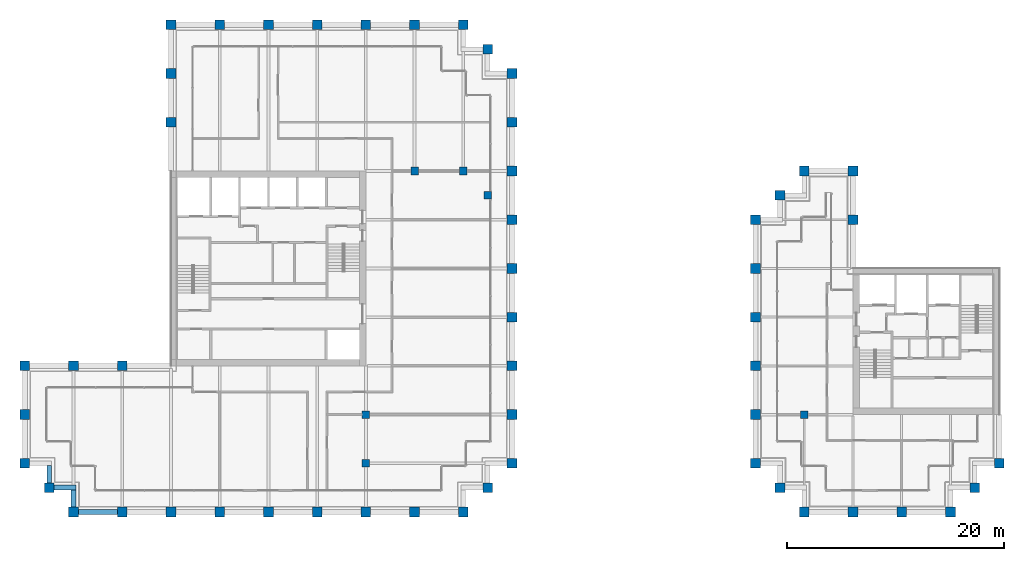
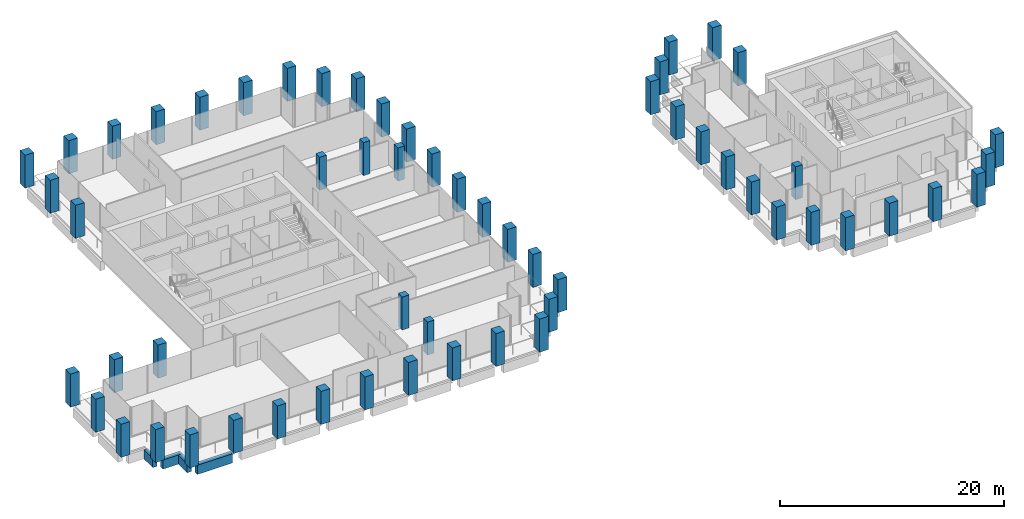
# One storey, part 1 of 40: 58 columns, 4 beams.
"""IFC4 building model written with IfcOpenShell, lengths in metres."""

from ifc_helpers import new_model, si_unit, direction, frame, origin, origin_2d, place, context, subcontext, project, spatial, rectangle, extrude, material, material_profile, profile_set, type_object, element, save


model = new_model("IFC4")

# Units and contexts
model_context = context("Model", 3, precision=1e-05, world=origin(), true_north=direction((0.0, 1.0)))
body_context = subcontext(model_context, "Body", "Model", "MODEL_VIEW")
ifc_project = project(units=[si_unit("LENGTHUNIT", "METRE"), si_unit("AREAUNIT", "SQUARE_METRE"), si_unit("VOLUMEUNIT", "CUBIC_METRE"), si_unit("PLANEANGLEUNIT", "RADIAN"), si_unit("MASSUNIT", "GRAM", prefix="KILO")], contexts=[model_context])

# Site, building, storey
site_placement = place(None, origin())
site = spatial("IfcSite", under=ifc_project, at=site_placement, CompositionType="ELEMENT")
building_placement = place(site_placement, origin())
building = spatial("IfcBuilding", under=site, at=building_placement, Name="Altepetl Exchange Towers", CompositionType="ELEMENT")
storey_placement = place(building_placement, frame((0.0, 0.0, 179.800048828125)))
storey = spatial("IfcBuildingStorey", under=building, at=storey_placement, Name="L45", CompositionType="ELEMENT", Elevation=179.800048828125)

# Columns
ifc_material_1 = material(Name="Concrete C70/85", Category="concrete")
ifc_material_profile_1 = material_profile(ifc_material_1, rectangle(XDim=0.699951171875, YDim=0.699951171875, at=origin_2d()), Name="700 x 700")
ifc_profile_set_1 = profile_set([ifc_material_profile_1], Name="Concrete C70/85")
column_type_1 = type_object("IfcColumnType", Name="Interior column 700", PredefinedType="COLUMN", material=ifc_profile_set_1)
for number, where, name in (
    (1, (58.5, 31.5, 0.0), "col:A:L45:035"),
    (2, (58.5, 36.0, 0.0), "col:A:L45:036"),
    (3, (63.0, 58.5, 0.0), "col:A:L45:037"),
    (4, (67.5, 58.5, 0.0), "col:A:L45:038"),
    (5, (69.75, 56.25, 0.0), "col:A:L45:039"),
    (6, (99.0, 36.0, 0.0), "col:B:L45:017"),
):
    element("IfcColumn", number, at=place(storey_placement, frame(where)), inside=storey, type_object=column_type_1, Name=name, PredefinedType="COLUMN", context=body_context, shape_type="SweptSolid", body=[
        extrude(rectangle(XDim=0.699951171875, YDim=0.699951171875, at=origin_2d()), origin(), (0.0, 0.0, 1.0), 3.599853515625),
    ])
ifc_material_2 = material(Name="Concrete C70/85 precast with cantera amarilla facing", Category="concrete")
ifc_material_profile_2 = material_profile(ifc_material_2, rectangle(XDim=0.89990234375, YDim=0.89990234375, at=origin_2d()), Name="900 x 900")
ifc_profile_set_2 = profile_set([ifc_material_profile_2], Name="Concrete C70/85 precast with cantera amarilla facing")
column_type_2 = type_object("IfcColumnType", Name="Perimeter column 900 cantera amarilla", PredefinedType="COLUMN", material=ifc_profile_set_2)
for number, where, name in (
    (7, (58.5, 27.0, 0.0), "col:A:L45:006"),
    (8, (63.0, 27.0, 0.0), "col:A:L45:007"),
    (9, (67.5, 27.0, 0.0), "col:A:L45:008"),
    (10, (69.75, 29.25, 0.0), "col:A:L45:009"),
    (11, (72.0, 31.5, 0.0), "col:A:L45:010"),
    (12, (72.0, 36.0, 0.0), "col:A:L45:011"),
    (13, (72.0, 40.5, 0.0), "col:A:L45:012"),
    (14, (72.0, 45.0, 0.0), "col:A:L45:013"),
    (15, (72.0, 49.5, 0.0), "col:A:L45:014"),
    (16, (72.0, 54.0, 0.0), "col:A:L45:015"),
):
    element("IfcColumn", number, at=place(storey_placement, frame(where)), inside=storey, type_object=column_type_2, Name=name, PredefinedType="COLUMN", context=body_context, shape_type="SweptSolid", body=[
        extrude(rectangle(XDim=0.89990234375, YDim=0.89990234375, at=origin_2d()), origin(), (0.0, 0.0, 1.0), 3.599853515625),
    ])
ifc_material_3 = material(Name="Concrete C70/85 precast with cantera blanca facing", Category="concrete")
ifc_material_profile_3 = material_profile(ifc_material_3, rectangle(XDim=0.89990234375, YDim=0.89990234375, at=origin_2d()), Name="900 x 900")
ifc_profile_set_3 = profile_set([ifc_material_profile_3], Name="Concrete C70/85 precast with cantera blanca facing")
column_type_3 = type_object("IfcColumnType", Name="Perimeter column 900 cantera blanca", PredefinedType="COLUMN", material=ifc_profile_set_3)
for number, where, name in (
    (17, (31.5, 27.0, 0.0), "col:A:L45:000"),
    (18, (36.0, 27.0, 0.0), "col:A:L45:001"),
    (19, (40.5, 27.0, 0.0), "col:A:L45:002"),
    (20, (45.0, 27.0, 0.0), "col:A:L45:003"),
    (21, (49.5, 27.0, 0.0), "col:A:L45:004"),
    (22, (54.0, 27.0, 0.0), "col:A:L45:005"),
    (23, (27.0, 36.0, 0.0), "col:A:L45:032"),
    (24, (27.0, 31.5, 0.0), "col:A:L45:033"),
    (25, (29.25, 29.25, 0.0), "col:A:L45:034"),
    (26, (117.0, 31.5, 0.0), "col:B:L45:005"),
):
    element("IfcColumn", number, at=place(storey_placement, frame(where)), inside=storey, type_object=column_type_3, Name=name, PredefinedType="COLUMN", context=body_context, shape_type="SweptSolid", body=[
        extrude(rectangle(XDim=0.89990234375, YDim=0.89990234375, at=origin_2d()), origin(), (0.0, 0.0, 1.0), 3.599853515625),
    ])
ifc_material_4 = material(Name="Concrete C70/85 precast with cantera rosa facing", Category="concrete")
ifc_material_profile_4 = material_profile(ifc_material_4, rectangle(XDim=0.89990234375, YDim=0.89990234375, at=origin_2d()), Name="900 x 900")
ifc_profile_set_4 = profile_set([ifc_material_profile_4], Name="Concrete C70/85 precast with cantera rosa facing")
column_type_4 = type_object("IfcColumnType", Name="Perimeter column 900 cantera rosa", PredefinedType="COLUMN", material=ifc_profile_set_4)
for number, where, name in (
    (27, (72.0, 58.5, 0.0), "col:A:L45:016"),
    (28, (72.0, 63.0, 0.0), "col:A:L45:017"),
    (29, (72.0, 67.5, 0.0), "col:A:L45:018"),
    (30, (69.75, 69.75, 0.0), "col:A:L45:019"),
    (31, (67.5, 72.0, 0.0), "col:A:L45:020"),
    (32, (63.0, 72.0, 0.0), "col:A:L45:021"),
    (33, (58.5, 72.0, 0.0), "col:A:L45:022"),
    (34, (54.0, 72.0, 0.0), "col:A:L45:023"),
    (35, (49.5, 72.0, 0.0), "col:A:L45:024"),
    (36, (45.0, 72.0, 0.0), "col:A:L45:025"),
    (37, (103.5, 54.0, 0.0), "col:B:L45:006"),
    (38, (103.5, 58.5, 0.0), "col:B:L45:007"),
    (39, (99.0, 58.5, 0.0), "col:B:L45:008"),
    (40, (96.75, 56.25, 0.0), "col:B:L45:009"),
    (41, (94.5, 54.0, 0.0), "col:B:L45:010"),
    (42, (94.5, 49.5, 0.0), "col:B:L45:011"),
    (43, (94.5, 45.0, 0.0), "col:B:L45:012"),
    (44, (94.5, 40.5, 0.0), "col:B:L45:013"),
    (45, (94.5, 36.0, 0.0), "col:B:L45:014"),
):
    element("IfcColumn", number, at=place(storey_placement, frame(where)), inside=storey, type_object=column_type_4, Name=name, PredefinedType="COLUMN", context=body_context, shape_type="SweptSolid", body=[
        extrude(rectangle(XDim=0.89990234375, YDim=0.89990234375, at=origin_2d()), origin(), (0.0, 0.0, 1.0), 3.599853515625),
    ])
ifc_material_5 = material(Name="Concrete C70/85 precast with tezontle facing", Category="concrete")
ifc_material_profile_5 = material_profile(ifc_material_5, rectangle(XDim=0.89990234375, YDim=0.89990234375, at=origin_2d()), Name="900 x 900")
ifc_profile_set_5 = profile_set([ifc_material_profile_5], Name="Concrete C70/85 precast with tezontle facing")
column_type_5 = type_object("IfcColumnType", Name="Perimeter column 900 tezontle", PredefinedType="COLUMN", material=ifc_profile_set_5)
for number, where, name in (
    (46, (40.5, 72.0, 0.0), "col:A:L45:026"),
    (47, (40.5, 67.5, 0.0), "col:A:L45:027"),
    (48, (40.5, 63.0, 0.0), "col:A:L45:028"),
    (49, (36.0, 40.5, 0.0), "col:A:L45:029"),
    (50, (31.5, 40.5, 0.0), "col:A:L45:030"),
    (51, (27.0, 40.5, 0.0), "col:A:L45:031"),
    (52, (99.0, 27.0, 0.0), "col:B:L45:000"),
    (53, (103.5, 27.0, 0.0), "col:B:L45:001"),
    (54, (108.0, 27.0, 0.0), "col:B:L45:002"),
    (55, (112.5, 27.0, 0.0), "col:B:L45:003"),
    (56, (114.75, 29.25, 0.0), "col:B:L45:004"),
    (57, (94.5, 31.5, 0.0), "col:B:L45:015"),
    (58, (96.75, 29.25, 0.0), "col:B:L45:016"),
):
    element("IfcColumn", number, at=place(storey_placement, frame(where)), inside=storey, type_object=column_type_5, Name=name, PredefinedType="COLUMN", context=body_context, shape_type="SweptSolid", body=[
        extrude(rectangle(XDim=0.89990234375, YDim=0.89990234375, at=origin_2d()), origin(), (0.0, 0.0, 1.0), 3.599853515625),
    ])

# Beams
ifc_material_6 = material(Name="Concrete C50/60 precast with cantera blanca facing", Category="concrete")
ifc_material_profile_6 = material_profile(ifc_material_6, rectangle(XDim=0.449951171875, YDim=1.0, at=origin_2d()), Name="450 x 1000")
ifc_profile_set_6 = profile_set([ifc_material_profile_6], Name="Concrete C50/60 precast with cantera blanca facing")
beam_type = type_object("IfcBeamType", Name="Spandrel beam 450x1000 cantera blanca", PredefinedType="SPANDREL", material=ifc_profile_set_6)
beam_1_placement = place(storey_placement, frame((31.949951171875, 27.0, -0.650146484375), z_axis=(1.0, 0.0, 0.0), x_axis=(0.0, 1.0, 0.0)))
element("IfcBeam", 59, at=beam_1_placement, inside=storey, type_object=beam_type, Name="sp:A:L45:000", PredefinedType="SPANDREL", context=body_context, shape_type="SweptSolid", body=[
    extrude(rectangle(XDim=0.449951171875, YDim=1.0, at=origin_2d()), origin(), (0.0, 0.0, 1.0), 3.60009765625),
])
beam_2_placement = place(storey_placement, frame((29.25, 31.27490234375, -0.650146484375), z_axis=(0.0, -1.0, 0.0), x_axis=(1.0, 0.0, 0.0)))
element("IfcBeam", 60, at=beam_2_placement, inside=storey, type_object=beam_type, Name="sp:A:L45:039", PredefinedType="SPANDREL", context=body_context, shape_type="SweptSolid", body=[
    extrude(rectangle(XDim=0.449951171875, YDim=1.0, at=origin_2d()), origin(), (0.0, 0.0, 1.0), 1.574951171875),
])
beam_3_placement = place(storey_placement, frame((29.699951171875, 29.25, -0.650146484375), z_axis=(1.0, 0.0, 0.0), x_axis=(0.0, 1.0, 0.0)))
element("IfcBeam", 61, at=beam_3_placement, inside=storey, type_object=beam_type, Name="sp:A:L45:040", PredefinedType="SPANDREL", context=body_context, shape_type="SweptSolid", body=[
    extrude(rectangle(XDim=0.449951171875, YDim=1.0, at=origin_2d()), origin(), (0.0, 0.0, 1.0), 2.025146484375),
])
beam_4_placement = place(storey_placement, frame((31.5, 29.02490234375, -0.650146484375), z_axis=(0.0, -1.0, 0.0), x_axis=(1.0, 0.0, 0.0)))
element("IfcBeam", 62, at=beam_4_placement, inside=storey, type_object=beam_type, Name="sp:A:L45:041", PredefinedType="SPANDREL", context=body_context, shape_type="SweptSolid", body=[
    extrude(rectangle(XDim=0.449951171875, YDim=1.0, at=origin_2d()), origin(), (0.0, 0.0, 1.0), 1.574951171875),
])

save(model, "model.ifc")
